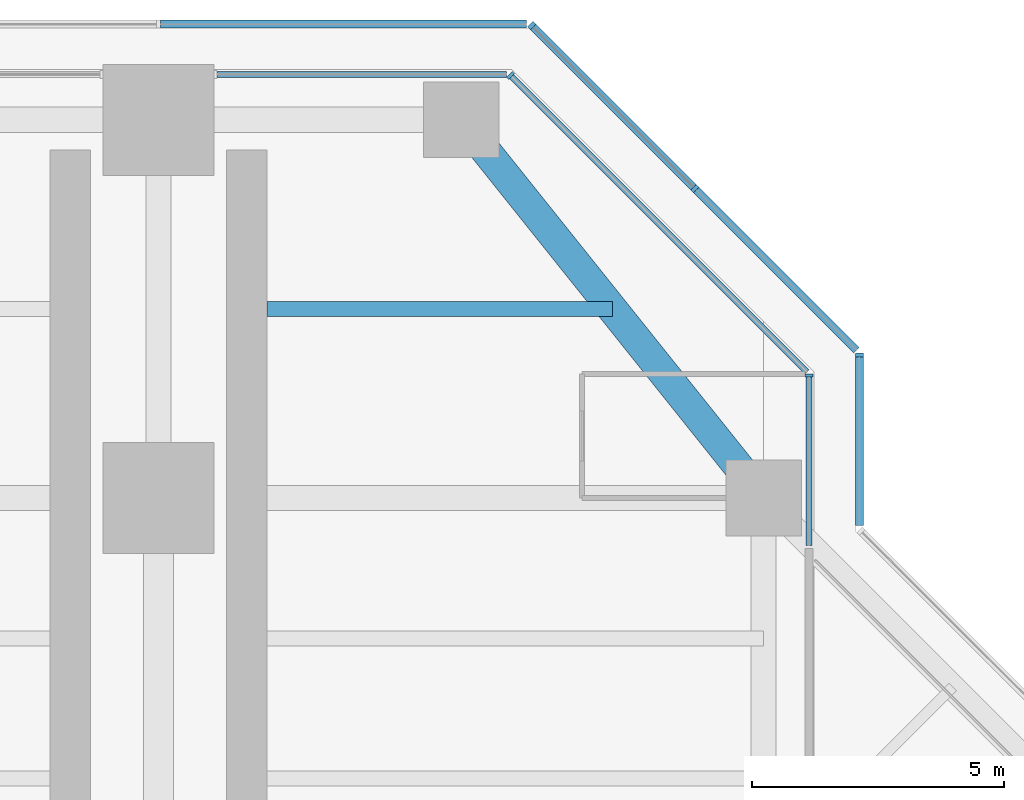
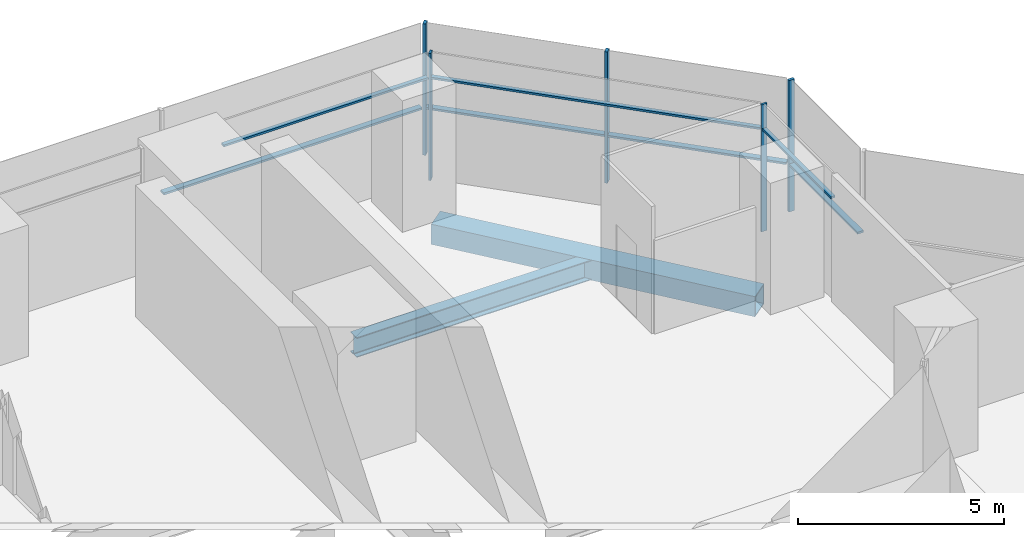
# One storey, part 9 of 17: 12 members, 2 beams, 6 elements without a shape of their own.
"""IFC4 building model written with IfcOpenShell, lengths in metres."""

from ifc_helpers import new_model, si_unit, direction, frame, origin, origin_2d, place, context, subcontext, project, spatial, rectangle, hollow_rectangle, i_section, extrude, material, material_profile, profile_set, type_object, element, aggregate, save


model = new_model("IFC4")

# Units and contexts
model_context = context("Model", 3, precision=1e-05, world=origin(), true_north=direction((0.0, 1.0)))
body_context = subcontext(model_context, "Body", "Model", "MODEL_VIEW")
ifc_project = project(units=[si_unit("LENGTHUNIT", "METRE"), si_unit("AREAUNIT", "SQUARE_METRE"), si_unit("VOLUMEUNIT", "CUBIC_METRE"), si_unit("PLANEANGLEUNIT", "RADIAN"), si_unit("MASSUNIT", "GRAM", prefix="KILO")], contexts=[model_context])

# Site, building, storey
site_placement = place(None, origin())
site = spatial("IfcSite", under=ifc_project, at=site_placement, CompositionType="ELEMENT")
building_placement = place(site_placement, origin())
building = spatial("IfcBuilding", under=site, at=building_placement, Name="Mizan Broadcast Tower", CompositionType="ELEMENT")
storey_placement = place(building_placement, frame((0.0, 0.0, 251.699951171875)))
storey = spatial("IfcBuildingStorey", under=building, at=storey_placement, Name="L59", CompositionType="ELEMENT", Elevation=251.699951171875)

# Beam
ifc_material_1 = material(Name="Steel S355", Category="steel")
ifc_material_profile_1 = material_profile(ifc_material_1, hollow_rectangle(XDim=0.60009765625, YDim=0.60009765625, WallThickness=0.030029296875, at=origin_2d()), Name="BOX 600x600x30")
ifc_profile_set_1 = profile_set([ifc_material_profile_1], Name="Steel S355")
beam_type_1 = type_object("IfcBeamType", Name="EDGE BEAM BOX 600x600x30", PredefinedType="SPANDREL", material=ifc_profile_set_1)
beam_1_placement = place(storey_placement, frame((11.639892578125, 19.949951171875, -0.429931640625), z_axis=(-0.624673911726, 0.780885717636, 0.0), x_axis=(-0.780885717636, -0.624673911726, 0.0)))
element("IfcBeam", 1, at=beam_1_placement, inside=storey, type_object=beam_type_1, Name="Edge beam BOX 600x600x30 L59 north arm", PredefinedType="SPANDREL", context=body_context, shape_type="SweptSolid", body=[
    extrude(hollow_rectangle(XDim=0.60009765625, YDim=0.60009765625, WallThickness=0.030029296875, at=origin_2d()), origin(), (0.0, 0.0, 1.0), 8.4521484375),
])

# Curtain wall, member
ifc_material_2 = material(Name="Aluminium framed glazing", Category="aluminium")
curtain_wall_type_1 = type_object("IfcCurtainWallType", Name="INNER SKIN HIGH ZONE", PredefinedType="USERDEFINED", material=ifc_material_2)
curtain_wall_1_placement = place(storey_placement, origin())
curtain_wall_1 = element("IfcCurtainWall", 2, at=curtain_wall_1_placement, inside=storey, type_object=curtain_wall_type_1, Name="Inner skin high zone L59 N side", ObjectType="INNER SKIN HIGH ZONE", PredefinedType="USERDEFINED")
ifc_material_3 = material(Name="Aluminium, pale anodised", Category="aluminium")
ifc_material_profile_2 = material_profile(ifc_material_3, rectangle(XDim=0.159912109375, YDim=0.06005859375, at=origin_2d()), Name="MULLION 160x60")
ifc_profile_set_2 = profile_set([ifc_material_profile_2], Name="Aluminium, pale anodised")
member_type_1 = type_object("IfcMemberType", Name="INNER SKIN MULLION 60x160", PredefinedType="MULLION", material=ifc_profile_set_2)
member_1_placement = place(storey_placement, frame((12.89990234375, 21.928466796875, 0.0), z_axis=(0.0, 0.0, 1.0), x_axis=(-1.0, 0.0, 0.0)))
member_1 = element("IfcMember", 3, at=member_1_placement, type_object=member_type_1, Name="Inner skin high zone L59 N side mullion 2", PredefinedType="MULLION", context=body_context, shape_type="SweptSolid", body=[
    extrude(rectangle(XDim=0.159912109375, YDim=0.06005859375, at=origin_2d()), origin(), (0.0, 0.0, 1.0), 3.77001953125),
])

curtain_wall_2_placement = place(storey_placement, origin())
curtain_wall_2 = element("IfcCurtainWall", 4, at=curtain_wall_2_placement, inside=storey, type_object=curtain_wall_type_1, Name="Inner skin high zone L59 N chamfer", ObjectType="INNER SKIN HIGH ZONE", PredefinedType="USERDEFINED")
member_2_placement = place(storey_placement, frame((6.979736328125, 27.87890625, 0.0), z_axis=(0.0, 0.0, 1.0), x_axis=(-0.707106781187, -0.707106781187, 0.0)))
member_2 = element("IfcMember", 5, at=member_2_placement, type_object=member_type_1, Name="Inner skin high zone L59 N chamfer mullion 2", PredefinedType="MULLION", context=body_context, shape_type="SweptSolid", body=[
    extrude(rectangle(XDim=0.159912109375, YDim=0.06005859375, at=origin_2d()), origin(), (0.0, 0.0, 1.0), 3.77001953125),
])

# Member
ifc_material_4 = material(Name="Aluminium, pale anodised", Category="aluminium")
ifc_material_profile_3 = material_profile(ifc_material_4, rectangle(XDim=0.1201171875, YDim=0.06005859375, at=origin_2d()), Name="TRANSOM 120x60")
ifc_profile_set_3 = profile_set([ifc_material_profile_3], Name="Aluminium, pale anodised")
member_type_2 = type_object("IfcMemberType", Name="INNER SKIN TRANSOM 60x120", PredefinedType="USERDEFINED", material=ifc_profile_set_3)
member_3_placement = place(storey_placement, frame((12.89990234375, 18.56005859375, 3.030029296875), z_axis=(0.0, 1.0, 0.0), x_axis=(-1.0, 0.0, 0.0)))
member_3 = element("IfcMember", 6, at=member_3_placement, type_object=member_type_2, Name="Inner skin high zone L59 N side transom 1.1", ObjectType="TRANSOM", PredefinedType="USERDEFINED", context=body_context, shape_type="SweptSolid", body=[
    extrude(rectangle(XDim=0.1201171875, YDim=0.06005859375, at=origin_2d()), origin(), (0.0, 0.0, 1.0), 3.338623046875),
])

aggregate(curtain_wall_1, [member_1, member_3])

member_4_placement = place(storey_placement, frame((12.857666015625, 22.0009765625, 3.030029296875), z_axis=(-0.707106781187, 0.707106781187, 0.0), x_axis=(-0.707106781187, -0.707106781187, 0.0)))
member_4 = element("IfcMember", 7, at=member_4_placement, type_object=member_type_2, Name="Inner skin high zone L59 N chamfer transom 1.1", ObjectType="TRANSOM", PredefinedType="USERDEFINED", context=body_context, shape_type="SweptSolid", body=[
    extrude(rectangle(XDim=0.1201171875, YDim=0.06005859375, at=origin_2d()), origin(), (0.0, 0.0, 1.0), 8.28271484375),
])

aggregate(curtain_wall_2, [member_2, member_4])

# Curtain wall, member
curtain_wall_3_placement = place(storey_placement, origin())
curtain_wall_3 = element("IfcCurtainWall", 8, at=curtain_wall_3_placement, inside=storey, type_object=curtain_wall_type_1, Name="Inner skin high zone L59 N end", ObjectType="INNER SKIN HIGH ZONE", PredefinedType="USERDEFINED")
member_5_placement = place(storey_placement, frame((6.898681640625, 27.89990234375, 3.030029296875), z_axis=(-1.0, 0.0, 0.0), x_axis=(0.0, -1.0, 0.0)))
member_5 = element("IfcMember", 9, at=member_5_placement, type_object=member_type_2, Name="Inner skin high zone L59 N end transom 1.1", ObjectType="TRANSOM", PredefinedType="USERDEFINED", context=body_context, shape_type="SweptSolid", body=[
    extrude(rectangle(XDim=0.1201171875, YDim=0.06005859375, at=origin_2d()), origin(), (0.0, 0.0, 1.0), 5.73876953125),
])
aggregate(curtain_wall_3, [member_5])

ifc_material_5 = material(Name="Aluminium framed glazing", Category="aluminium")
curtain_wall_type_2 = type_object("IfcCurtainWallType", Name="OUTER SKIN", PredefinedType="USERDEFINED", material=ifc_material_5)
curtain_wall_4_placement = place(storey_placement, origin())
curtain_wall_4 = element("IfcCurtainWall", 10, at=curtain_wall_4_placement, inside=storey, type_object=curtain_wall_type_2, Name="Outer skin L59 N side", ObjectType="OUTER SKIN", PredefinedType="USERDEFINED")
ifc_material_6 = material(Name="Aluminium, pale anodised", Category="aluminium")
ifc_material_profile_4 = material_profile(ifc_material_6, rectangle(XDim=0.159912109375, YDim=0.080078125, at=origin_2d()), Name="MULLION 160x80")
ifc_profile_set_4 = profile_set([ifc_material_profile_4], Name="Aluminium, pale anodised")
member_type_3 = type_object("IfcMemberType", Name="OUTER SKIN MULLION 80x160", PredefinedType="MULLION", material=ifc_profile_set_4)
member_6_placement = place(storey_placement, frame((13.89990234375, 22.332763671875, 0.0), z_axis=(0.0, 0.0, 1.0), x_axis=(-1.0, 0.0, 0.0)))
member_6 = element("IfcMember", 11, at=member_6_placement, type_object=member_type_3, Name="Outer skin L59 N side mullion 2", PredefinedType="MULLION", context=body_context, shape_type="SweptSolid", body=[
    extrude(rectangle(XDim=0.159912109375, YDim=0.080078125, at=origin_2d()), origin(), (0.0, 0.0, 1.0), 3.900146484375),
])

# Curtain wall, members
curtain_wall_5_placement = place(storey_placement, origin())
curtain_wall_5 = element("IfcCurtainWall", 12, at=curtain_wall_5_placement, inside=storey, type_object=curtain_wall_type_2, Name="Outer skin L59 N chamfer", ObjectType="OUTER SKIN", PredefinedType="USERDEFINED")
member_7_placement = place(storey_placement, frame((10.636474609375, 25.636474609375, 0.0), z_axis=(0.0, 0.0, 1.0), x_axis=(-0.707106781187, -0.707106781187, 0.0)))
member_7 = element("IfcMember", 13, at=member_7_placement, type_object=member_type_3, Name="Outer skin L59 N chamfer mullion 2", PredefinedType="MULLION", context=body_context, shape_type="SweptSolid", body=[
    extrude(rectangle(XDim=0.159912109375, YDim=0.080078125, at=origin_2d()), origin(), (0.0, 0.0, 1.0), 3.900146484375),
])
member_8_placement = place(storey_placement, frame((7.401123046875, 28.871826171875, 0.0), z_axis=(0.0, 0.0, 1.0), x_axis=(-0.707106781187, -0.707106781187, 0.0)))
member_8 = element("IfcMember", 14, at=member_8_placement, type_object=member_type_3, Name="Outer skin L59 N chamfer mullion 3", PredefinedType="MULLION", context=body_context, shape_type="SweptSolid", body=[
    extrude(rectangle(XDim=0.159912109375, YDim=0.080078125, at=origin_2d()), origin(), (0.0, 0.0, 1.0), 3.900146484375),
])

# Member
ifc_material_7 = material(Name="Aluminium, pale anodised", Category="aluminium")
ifc_material_profile_5 = material_profile(ifc_material_7, rectangle(XDim=0.159912109375, YDim=0.06005859375, at=origin_2d()), Name="TRANSOM 160x60")
ifc_profile_set_5 = profile_set([ifc_material_profile_5], Name="Aluminium, pale anodised")
member_type_4 = type_object("IfcMemberType", Name="OUTER SKIN TRANSOM 60x160", PredefinedType="USERDEFINED", material=ifc_profile_set_5)
member_9_placement = place(storey_placement, frame((13.89990234375, 18.952880859375, 1.400146484375), z_axis=(0.0, 1.0, 0.0), x_axis=(-1.0, 0.0, 0.0)))
member_9 = element("IfcMember", 15, at=member_9_placement, type_object=member_type_4, Name="Outer skin L59 N side transom 1.1", ObjectType="TRANSOM", PredefinedType="USERDEFINED", context=body_context, shape_type="SweptSolid", body=[
    extrude(rectangle(XDim=0.159912109375, YDim=0.06005859375, at=origin_2d()), origin(), (0.0, 0.0, 1.0), 3.33984375),
])

aggregate(curtain_wall_4, [member_6, member_9])

member_10_placement = place(storey_placement, frame((13.843505859375, 22.429443359375, 1.400146484375), z_axis=(-0.707106781187, 0.707106781187, 0.0), x_axis=(-0.707106781187, -0.707106781187, 0.0)))
member_10 = element("IfcMember", 16, at=member_10_placement, type_object=member_type_4, Name="Outer skin L59 N chamfer transom 1.1", ObjectType="TRANSOM", PredefinedType="USERDEFINED", context=body_context, shape_type="SweptSolid", body=[
    extrude(rectangle(XDim=0.159912109375, YDim=0.06005859375, at=origin_2d()), origin(), (0.0, 0.0, 1.0), 4.495361328125),
])

member_11_placement = place(storey_placement, frame((10.608154296875, 25.664794921875, 1.400146484375), z_axis=(-0.707106781187, 0.707106781187, 0.0), x_axis=(-0.707106781187, -0.707106781187, 0.0)))
member_11 = element("IfcMember", 17, at=member_11_placement, type_object=member_type_4, Name="Outer skin L59 N chamfer transom 2.1", ObjectType="TRANSOM", PredefinedType="USERDEFINED", context=body_context, shape_type="SweptSolid", body=[
    extrude(rectangle(XDim=0.159912109375, YDim=0.06005859375, at=origin_2d()), origin(), (0.0, 0.0, 1.0), 4.495361328125),
])

aggregate(curtain_wall_5, [member_7, member_8, member_10, member_11])

# Curtain wall, member
curtain_wall_6_placement = place(storey_placement, origin())
curtain_wall_6 = element("IfcCurtainWall", 18, at=curtain_wall_6_placement, inside=storey, type_object=curtain_wall_type_2, Name="Outer skin L59 N end", ObjectType="OUTER SKIN", PredefinedType="USERDEFINED")
member_12_placement = place(storey_placement, frame((7.292724609375, 28.89990234375, 1.400146484375), z_axis=(-1.0, 0.0, 0.0), x_axis=(0.0, -1.0, 0.0)))
member_12 = element("IfcMember", 19, at=member_12_placement, type_object=member_type_4, Name="Outer skin L59 N end transom 1.1", ObjectType="TRANSOM", PredefinedType="USERDEFINED", context=body_context, shape_type="SweptSolid", body=[
    extrude(rectangle(XDim=0.159912109375, YDim=0.06005859375, at=origin_2d()), origin(), (0.0, 0.0, 1.0), 7.252685546875),
])
aggregate(curtain_wall_6, [member_12])

# Beam
ifc_material_8 = material(Name="Steel S355", Category="steel")
ifc_material_profile_6 = material_profile(ifc_material_8, i_section(OverallWidth=0.300048828125, OverallDepth=0.590087890625, WebThickness=0.012939453125, FlangeThickness=0.02490234375, FilletRadius=0.027099609375, at=origin_2d()), Name="HEA 600")
ifc_profile_set_6 = profile_set([ifc_material_profile_6], Name="Steel S355")
beam_type_2 = type_object("IfcBeamType", Name="SECONDARY BEAM HEA 600", PredefinedType="JOIST", material=ifc_profile_set_6)
beam_2_placement = place(storey_placement, frame((9.0, 23.25, -0.425048828125), z_axis=(-1.0, 0.0, 0.0), x_axis=(0.0, -1.0, 0.0)))
element("IfcBeam", 20, at=beam_2_placement, inside=storey, type_object=beam_type_2, Name="Secondary beam HEA 600 L59 north arm", PredefinedType="JOIST", context=body_context, shape_type="SweptSolid", body=[
    extrude(i_section(OverallWidth=0.300048828125, OverallDepth=0.590087890625, WebThickness=0.012939453125, FlangeThickness=0.02490234375, FilletRadius=0.027099609375, at=origin_2d()), origin(), (0.0, 0.0, 1.0), 6.85009765625),
])

save(model, "model.ifc")
